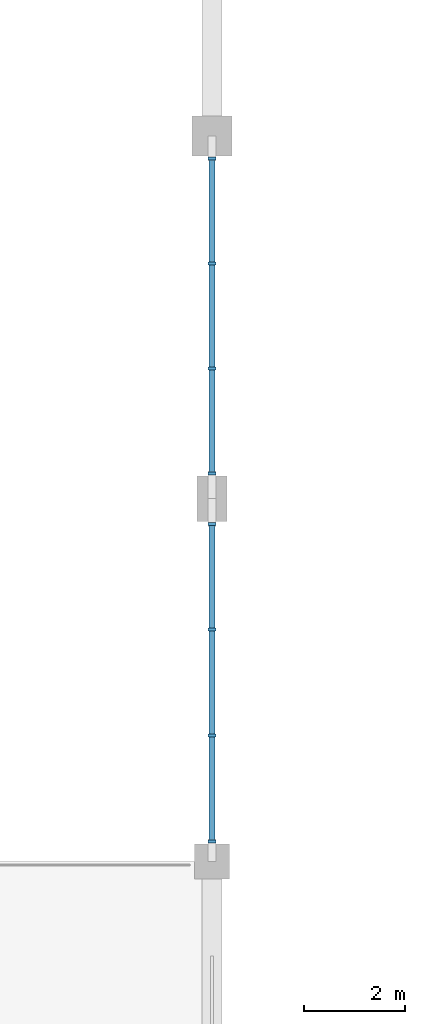
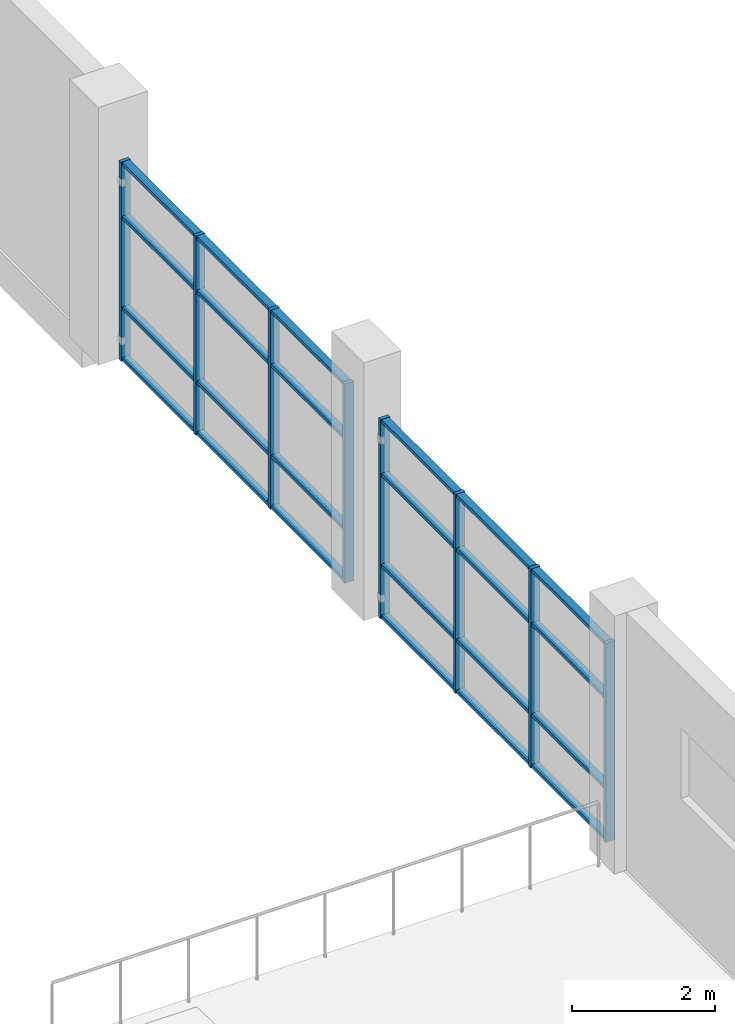
# One storey, part 28 of 71: 32 members, 2 elements without a shape of their own.
"""IFC4 building model written with IfcOpenShell, lengths in metres."""

from ifc_helpers import new_model, si_unit, direction, frame, origin, origin_2d, place, context, subcontext, project, spatial, rectangle, extrude, material, material_profile, profile_set, type_object, element, aggregate, save


model = new_model("IFC4")

# Units and contexts
model_context = context("Model", 3, precision=1e-05, world=origin(), true_north=direction((0.0, 1.0)))
body_context = subcontext(model_context, "Body", "Model", "MODEL_VIEW")
ifc_project = project(units=[si_unit("LENGTHUNIT", "METRE"), si_unit("AREAUNIT", "SQUARE_METRE"), si_unit("VOLUMEUNIT", "CUBIC_METRE"), si_unit("PLANEANGLEUNIT", "RADIAN"), si_unit("MASSUNIT", "GRAM", prefix="KILO")], contexts=[model_context])

# Site, building, storey
site_placement = place(None, origin())
site = spatial("IfcSite", under=ifc_project, at=site_placement, CompositionType="ELEMENT")
building_placement = place(site_placement, origin())
building = spatial("IfcBuilding", under=site, at=building_placement, Name="Sardonyx Promenade Sports Hall", CompositionType="ELEMENT")
storey_placement = place(building_placement, frame((0.0, 0.0, 16.0)))
storey = spatial("IfcBuildingStorey", under=building, at=storey_placement, Name="L03", CompositionType="ELEMENT", Elevation=16.0)

# Curtain wall, members
ifc_material_1 = material(Name="Aluminium 6063-T6", Category="aluminium")
curtain_wall_type = type_object("IfcCurtainWallType", Name="CW_South_L03_640", PredefinedType="USERDEFINED", material=ifc_material_1)
curtain_wall_1_placement = place(storey_placement, origin())
curtain_wall_1 = element("IfcCurtainWall", 1, at=curtain_wall_1_placement, inside=storey, type_object=curtain_wall_type, Name="Curtain wall CW14 cw:L03:150", ObjectType="CURTAIN WALL", PredefinedType="USERDEFINED")
ifc_material_2 = material(Name="Aluminium 6063-T6", Category="aluminium")
ifc_material_profile_1 = material_profile(ifc_material_2, rectangle(XDim=0.06005859375, YDim=0.14990234375, at=origin_2d()))
ifc_profile_set_1 = profile_set([ifc_material_profile_1], Name="Aluminium 6063-T6")
member_type_1 = type_object("IfcMemberType", Name="CW_Mull_150", PredefinedType="MULLION", material=ifc_profile_set_1)
member_1_placement = place(storey_placement, frame((79.199951171875, 93.14990234375, 0.0), z_axis=(0.0, 0.0, 1.0), x_axis=(0.0, -1.0, 0.0)))
member_1 = element("IfcMember", 2, at=member_1_placement, type_object=member_type_1, Name="Mullion CM01 cw:L03:150 #1", PredefinedType="MULLION", context=body_context, shape_type="SweptSolid", body=[
    extrude(rectangle(XDim=0.06005859375, YDim=0.14990234375, at=origin_2d()), origin(), (0.0, 0.0, 1.0), 3.39990234375),
])
member_2_placement = place(storey_placement, frame((79.199951171875, 91.066650390625, 0.0), z_axis=(0.0, 0.0, 1.0), x_axis=(0.0, -1.0, 0.0)))
member_2 = element("IfcMember", 3, at=member_2_placement, type_object=member_type_1, Name="Mullion CM01 cw:L03:150 #2", PredefinedType="MULLION", context=body_context, shape_type="SweptSolid", body=[
    extrude(rectangle(XDim=0.06005859375, YDim=0.14990234375, at=origin_2d()), origin(), (0.0, 0.0, 1.0), 3.39990234375),
])
member_3_placement = place(storey_placement, frame((79.199951171875, 88.9833984375, 0.0), z_axis=(0.0, 0.0, 1.0), x_axis=(0.0, -1.0, 0.0)))
member_3 = element("IfcMember", 4, at=member_3_placement, type_object=member_type_1, Name="Mullion CM01 cw:L03:150 #3", PredefinedType="MULLION", context=body_context, shape_type="SweptSolid", body=[
    extrude(rectangle(XDim=0.06005859375, YDim=0.14990234375, at=origin_2d()), origin(), (0.0, 0.0, 1.0), 3.39990234375),
])
member_4_placement = place(storey_placement, frame((79.199951171875, 86.89990234375, 0.0), z_axis=(0.0, 0.0, 1.0), x_axis=(0.0, -1.0, 0.0)))
member_4 = element("IfcMember", 5, at=member_4_placement, type_object=member_type_1, Name="Mullion CM01 cw:L03:150 #4", PredefinedType="MULLION", context=body_context, shape_type="SweptSolid", body=[
    extrude(rectangle(XDim=0.06005859375, YDim=0.14990234375, at=origin_2d()), origin(), (0.0, 0.0, 1.0), 3.39990234375),
])

curtain_wall_2_placement = place(storey_placement, origin())
curtain_wall_2 = element("IfcCurtainWall", 6, at=curtain_wall_2_placement, inside=storey, type_object=curtain_wall_type, Name="Curtain wall CW14 cw:L03:151", ObjectType="CURTAIN WALL", PredefinedType="USERDEFINED")
member_5_placement = place(storey_placement, frame((79.199951171875, 85.89990234375, 0.0), z_axis=(0.0, 0.0, 1.0), x_axis=(0.0, -1.0, 0.0)))
member_5 = element("IfcMember", 7, at=member_5_placement, type_object=member_type_1, Name="Mullion CM01 cw:L03:151 #1", PredefinedType="MULLION", context=body_context, shape_type="SweptSolid", body=[
    extrude(rectangle(XDim=0.06005859375, YDim=0.14990234375, at=origin_2d()), origin(), (0.0, 0.0, 1.0), 3.39990234375),
])
member_6_placement = place(storey_placement, frame((79.199951171875, 83.800048828125, 0.0), z_axis=(0.0, 0.0, 1.0), x_axis=(0.0, -1.0, 0.0)))
member_6 = element("IfcMember", 8, at=member_6_placement, type_object=member_type_1, Name="Mullion CM01 cw:L03:151 #2", PredefinedType="MULLION", context=body_context, shape_type="SweptSolid", body=[
    extrude(rectangle(XDim=0.06005859375, YDim=0.14990234375, at=origin_2d()), origin(), (0.0, 0.0, 1.0), 3.39990234375),
])
member_7_placement = place(storey_placement, frame((79.199951171875, 81.699951171875, 0.0), z_axis=(0.0, 0.0, 1.0), x_axis=(0.0, -1.0, 0.0)))
member_7 = element("IfcMember", 9, at=member_7_placement, type_object=member_type_1, Name="Mullion CM01 cw:L03:151 #3", PredefinedType="MULLION", context=body_context, shape_type="SweptSolid", body=[
    extrude(rectangle(XDim=0.06005859375, YDim=0.14990234375, at=origin_2d()), origin(), (0.0, 0.0, 1.0), 3.39990234375),
])
member_8_placement = place(storey_placement, frame((79.199951171875, 79.60009765625, 0.0), z_axis=(0.0, 0.0, 1.0), x_axis=(0.0, -1.0, 0.0)))
member_8 = element("IfcMember", 10, at=member_8_placement, type_object=member_type_1, Name="Mullion CM01 cw:L03:151 #4", PredefinedType="MULLION", context=body_context, shape_type="SweptSolid", body=[
    extrude(rectangle(XDim=0.06005859375, YDim=0.14990234375, at=origin_2d()), origin(), (0.0, 0.0, 1.0), 3.39990234375),
])

# Member
ifc_material_3 = material(Name="Aluminium 6063-T6", Category="aluminium")
ifc_material_profile_2 = material_profile(ifc_material_3, rectangle(XDim=0.06005859375, YDim=0.1201171875, at=origin_2d()))
ifc_profile_set_2 = profile_set([ifc_material_profile_2], Name="Aluminium 6063-T6")
member_type_2 = type_object("IfcMemberType", Name="CW_Tran_120", PredefinedType="USERDEFINED", material=ifc_profile_set_2)
member_9_placement = place(storey_placement, frame((79.199951171875, 93.1201171875, 0.030029296875), z_axis=(0.0, -1.0, 0.0), x_axis=(0.0, 0.0, 1.0)))
member_9 = element("IfcMember", 11, at=member_9_placement, type_object=member_type_2, Name="Transom CT01 cw:L03:150 #1", ObjectType="TRANSOM", PredefinedType="USERDEFINED", context=body_context, shape_type="SweptSolid", body=[
    extrude(rectangle(XDim=0.06005859375, YDim=0.1201171875, at=origin_2d()), origin(), (0.0, 0.0, 1.0), 2.0234375),
])

member_10_placement = place(storey_placement, frame((79.199951171875, 93.1201171875, 0.89990234375), z_axis=(0.0, -1.0, 0.0), x_axis=(0.0, 0.0, 1.0)))
member_10 = element("IfcMember", 12, at=member_10_placement, type_object=member_type_2, Name="Transom CT01 cw:L03:150 #2", ObjectType="TRANSOM", PredefinedType="USERDEFINED", context=body_context, shape_type="SweptSolid", body=[
    extrude(rectangle(XDim=0.06005859375, YDim=0.1201171875, at=origin_2d()), origin(), (0.0, 0.0, 1.0), 2.0234375),
])

member_11_placement = place(storey_placement, frame((79.199951171875, 93.1201171875, 2.449951171875), z_axis=(0.0, -1.0, 0.0), x_axis=(0.0, 0.0, 1.0)))
member_11 = element("IfcMember", 13, at=member_11_placement, type_object=member_type_2, Name="Transom CT01 cw:L03:150 #3", ObjectType="TRANSOM", PredefinedType="USERDEFINED", context=body_context, shape_type="SweptSolid", body=[
    extrude(rectangle(XDim=0.06005859375, YDim=0.1201171875, at=origin_2d()), origin(), (0.0, 0.0, 1.0), 2.0234375),
])

member_12_placement = place(storey_placement, frame((79.199951171875, 93.1201171875, 3.3701171875), z_axis=(0.0, -1.0, 0.0), x_axis=(0.0, 0.0, 1.0)))
member_12 = element("IfcMember", 14, at=member_12_placement, type_object=member_type_2, Name="Transom CT01 cw:L03:150 #4", ObjectType="TRANSOM", PredefinedType="USERDEFINED", context=body_context, shape_type="SweptSolid", body=[
    extrude(rectangle(XDim=0.06005859375, YDim=0.1201171875, at=origin_2d()), origin(), (0.0, 0.0, 1.0), 2.0234375),
])

member_13_placement = place(storey_placement, frame((79.199951171875, 91.03662109375, 0.030029296875), z_axis=(0.0, -1.0, 0.0), x_axis=(0.0, 0.0, 1.0)))
member_13 = element("IfcMember", 15, at=member_13_placement, type_object=member_type_2, Name="Transom CT01 cw:L03:150 #5", ObjectType="TRANSOM", PredefinedType="USERDEFINED", context=body_context, shape_type="SweptSolid", body=[
    extrude(rectangle(XDim=0.06005859375, YDim=0.1201171875, at=origin_2d()), origin(), (0.0, 0.0, 1.0), 2.023193359375),
])

member_14_placement = place(storey_placement, frame((79.199951171875, 91.03662109375, 0.89990234375), z_axis=(0.0, -1.0, 0.0), x_axis=(0.0, 0.0, 1.0)))
member_14 = element("IfcMember", 16, at=member_14_placement, type_object=member_type_2, Name="Transom CT01 cw:L03:150 #6", ObjectType="TRANSOM", PredefinedType="USERDEFINED", context=body_context, shape_type="SweptSolid", body=[
    extrude(rectangle(XDim=0.06005859375, YDim=0.1201171875, at=origin_2d()), origin(), (0.0, 0.0, 1.0), 2.023193359375),
])

member_15_placement = place(storey_placement, frame((79.199951171875, 91.03662109375, 2.449951171875), z_axis=(0.0, -1.0, 0.0), x_axis=(0.0, 0.0, 1.0)))
member_15 = element("IfcMember", 17, at=member_15_placement, type_object=member_type_2, Name="Transom CT01 cw:L03:150 #7", ObjectType="TRANSOM", PredefinedType="USERDEFINED", context=body_context, shape_type="SweptSolid", body=[
    extrude(rectangle(XDim=0.06005859375, YDim=0.1201171875, at=origin_2d()), origin(), (0.0, 0.0, 1.0), 2.023193359375),
])

member_16_placement = place(storey_placement, frame((79.199951171875, 91.03662109375, 3.3701171875), z_axis=(0.0, -1.0, 0.0), x_axis=(0.0, 0.0, 1.0)))
member_16 = element("IfcMember", 18, at=member_16_placement, type_object=member_type_2, Name="Transom CT01 cw:L03:150 #8", ObjectType="TRANSOM", PredefinedType="USERDEFINED", context=body_context, shape_type="SweptSolid", body=[
    extrude(rectangle(XDim=0.06005859375, YDim=0.1201171875, at=origin_2d()), origin(), (0.0, 0.0, 1.0), 2.023193359375),
])

member_17_placement = place(storey_placement, frame((79.199951171875, 88.953369140625, 0.030029296875), z_axis=(0.0, -1.0, 0.0), x_axis=(0.0, 0.0, 1.0)))
member_17 = element("IfcMember", 19, at=member_17_placement, type_object=member_type_2, Name="Transom CT01 cw:L03:150 #9", ObjectType="TRANSOM", PredefinedType="USERDEFINED", context=body_context, shape_type="SweptSolid", body=[
    extrude(rectangle(XDim=0.06005859375, YDim=0.1201171875, at=origin_2d()), origin(), (0.0, 0.0, 1.0), 2.0234375),
])

member_18_placement = place(storey_placement, frame((79.199951171875, 88.953369140625, 0.89990234375), z_axis=(0.0, -1.0, 0.0), x_axis=(0.0, 0.0, 1.0)))
member_18 = element("IfcMember", 20, at=member_18_placement, type_object=member_type_2, Name="Transom CT01 cw:L03:150 #10", ObjectType="TRANSOM", PredefinedType="USERDEFINED", context=body_context, shape_type="SweptSolid", body=[
    extrude(rectangle(XDim=0.06005859375, YDim=0.1201171875, at=origin_2d()), origin(), (0.0, 0.0, 1.0), 2.0234375),
])

member_19_placement = place(storey_placement, frame((79.199951171875, 88.953369140625, 2.449951171875), z_axis=(0.0, -1.0, 0.0), x_axis=(0.0, 0.0, 1.0)))
member_19 = element("IfcMember", 21, at=member_19_placement, type_object=member_type_2, Name="Transom CT01 cw:L03:150 #11", ObjectType="TRANSOM", PredefinedType="USERDEFINED", context=body_context, shape_type="SweptSolid", body=[
    extrude(rectangle(XDim=0.06005859375, YDim=0.1201171875, at=origin_2d()), origin(), (0.0, 0.0, 1.0), 2.0234375),
])

member_20_placement = place(storey_placement, frame((79.199951171875, 88.953369140625, 3.3701171875), z_axis=(0.0, -1.0, 0.0), x_axis=(0.0, 0.0, 1.0)))
member_20 = element("IfcMember", 22, at=member_20_placement, type_object=member_type_2, Name="Transom CT01 cw:L03:150 #12", ObjectType="TRANSOM", PredefinedType="USERDEFINED", context=body_context, shape_type="SweptSolid", body=[
    extrude(rectangle(XDim=0.06005859375, YDim=0.1201171875, at=origin_2d()), origin(), (0.0, 0.0, 1.0), 2.0234375),
])

aggregate(curtain_wall_1, [member_1, member_2, member_3, member_4, member_9, member_10, member_11, member_12, member_13, member_14, member_15, member_16, member_17, member_18, member_19, member_20])

member_21_placement = place(storey_placement, frame((79.199951171875, 85.8701171875, 0.030029296875), z_axis=(0.0, -1.0, 0.0), x_axis=(0.0, 0.0, 1.0)))
member_21 = element("IfcMember", 23, at=member_21_placement, type_object=member_type_2, Name="Transom CT01 cw:L03:151 #1", ObjectType="TRANSOM", PredefinedType="USERDEFINED", context=body_context, shape_type="SweptSolid", body=[
    extrude(rectangle(XDim=0.06005859375, YDim=0.1201171875, at=origin_2d()), origin(), (0.0, 0.0, 1.0), 2.0400390625),
])

member_22_placement = place(storey_placement, frame((79.199951171875, 85.8701171875, 0.89990234375), z_axis=(0.0, -1.0, 0.0), x_axis=(0.0, 0.0, 1.0)))
member_22 = element("IfcMember", 24, at=member_22_placement, type_object=member_type_2, Name="Transom CT01 cw:L03:151 #2", ObjectType="TRANSOM", PredefinedType="USERDEFINED", context=body_context, shape_type="SweptSolid", body=[
    extrude(rectangle(XDim=0.06005859375, YDim=0.1201171875, at=origin_2d()), origin(), (0.0, 0.0, 1.0), 2.0400390625),
])

member_23_placement = place(storey_placement, frame((79.199951171875, 85.8701171875, 2.449951171875), z_axis=(0.0, -1.0, 0.0), x_axis=(0.0, 0.0, 1.0)))
member_23 = element("IfcMember", 25, at=member_23_placement, type_object=member_type_2, Name="Transom CT01 cw:L03:151 #3", ObjectType="TRANSOM", PredefinedType="USERDEFINED", context=body_context, shape_type="SweptSolid", body=[
    extrude(rectangle(XDim=0.06005859375, YDim=0.1201171875, at=origin_2d()), origin(), (0.0, 0.0, 1.0), 2.0400390625),
])

member_24_placement = place(storey_placement, frame((79.199951171875, 85.8701171875, 3.3701171875), z_axis=(0.0, -1.0, 0.0), x_axis=(0.0, 0.0, 1.0)))
member_24 = element("IfcMember", 26, at=member_24_placement, type_object=member_type_2, Name="Transom CT01 cw:L03:151 #4", ObjectType="TRANSOM", PredefinedType="USERDEFINED", context=body_context, shape_type="SweptSolid", body=[
    extrude(rectangle(XDim=0.06005859375, YDim=0.1201171875, at=origin_2d()), origin(), (0.0, 0.0, 1.0), 2.0400390625),
])

member_25_placement = place(storey_placement, frame((79.199951171875, 83.77001953125, 0.030029296875), z_axis=(0.0, -1.0, 0.0), x_axis=(0.0, 0.0, 1.0)))
member_25 = element("IfcMember", 27, at=member_25_placement, type_object=member_type_2, Name="Transom CT01 cw:L03:151 #5", ObjectType="TRANSOM", PredefinedType="USERDEFINED", context=body_context, shape_type="SweptSolid", body=[
    extrude(rectangle(XDim=0.06005859375, YDim=0.1201171875, at=origin_2d()), origin(), (0.0, 0.0, 1.0), 2.0400390625),
])

member_26_placement = place(storey_placement, frame((79.199951171875, 83.77001953125, 0.89990234375), z_axis=(0.0, -1.0, 0.0), x_axis=(0.0, 0.0, 1.0)))
member_26 = element("IfcMember", 28, at=member_26_placement, type_object=member_type_2, Name="Transom CT01 cw:L03:151 #6", ObjectType="TRANSOM", PredefinedType="USERDEFINED", context=body_context, shape_type="SweptSolid", body=[
    extrude(rectangle(XDim=0.06005859375, YDim=0.1201171875, at=origin_2d()), origin(), (0.0, 0.0, 1.0), 2.0400390625),
])

member_27_placement = place(storey_placement, frame((79.199951171875, 83.77001953125, 2.449951171875), z_axis=(0.0, -1.0, 0.0), x_axis=(0.0, 0.0, 1.0)))
member_27 = element("IfcMember", 29, at=member_27_placement, type_object=member_type_2, Name="Transom CT01 cw:L03:151 #7", ObjectType="TRANSOM", PredefinedType="USERDEFINED", context=body_context, shape_type="SweptSolid", body=[
    extrude(rectangle(XDim=0.06005859375, YDim=0.1201171875, at=origin_2d()), origin(), (0.0, 0.0, 1.0), 2.0400390625),
])

member_28_placement = place(storey_placement, frame((79.199951171875, 83.77001953125, 3.3701171875), z_axis=(0.0, -1.0, 0.0), x_axis=(0.0, 0.0, 1.0)))
member_28 = element("IfcMember", 30, at=member_28_placement, type_object=member_type_2, Name="Transom CT01 cw:L03:151 #8", ObjectType="TRANSOM", PredefinedType="USERDEFINED", context=body_context, shape_type="SweptSolid", body=[
    extrude(rectangle(XDim=0.06005859375, YDim=0.1201171875, at=origin_2d()), origin(), (0.0, 0.0, 1.0), 2.0400390625),
])

member_29_placement = place(storey_placement, frame((79.199951171875, 81.669921875, 0.030029296875), z_axis=(0.0, -1.0, 0.0), x_axis=(0.0, 0.0, 1.0)))
member_29 = element("IfcMember", 31, at=member_29_placement, type_object=member_type_2, Name="Transom CT01 cw:L03:151 #9", ObjectType="TRANSOM", PredefinedType="USERDEFINED", context=body_context, shape_type="SweptSolid", body=[
    extrude(rectangle(XDim=0.06005859375, YDim=0.1201171875, at=origin_2d()), origin(), (0.0, 0.0, 1.0), 2.0400390625),
])

member_30_placement = place(storey_placement, frame((79.199951171875, 81.669921875, 0.89990234375), z_axis=(0.0, -1.0, 0.0), x_axis=(0.0, 0.0, 1.0)))
member_30 = element("IfcMember", 32, at=member_30_placement, type_object=member_type_2, Name="Transom CT01 cw:L03:151 #10", ObjectType="TRANSOM", PredefinedType="USERDEFINED", context=body_context, shape_type="SweptSolid", body=[
    extrude(rectangle(XDim=0.06005859375, YDim=0.1201171875, at=origin_2d()), origin(), (0.0, 0.0, 1.0), 2.0400390625),
])

member_31_placement = place(storey_placement, frame((79.199951171875, 81.669921875, 2.449951171875), z_axis=(0.0, -1.0, 0.0), x_axis=(0.0, 0.0, 1.0)))
member_31 = element("IfcMember", 33, at=member_31_placement, type_object=member_type_2, Name="Transom CT01 cw:L03:151 #11", ObjectType="TRANSOM", PredefinedType="USERDEFINED", context=body_context, shape_type="SweptSolid", body=[
    extrude(rectangle(XDim=0.06005859375, YDim=0.1201171875, at=origin_2d()), origin(), (0.0, 0.0, 1.0), 2.0400390625),
])

member_32_placement = place(storey_placement, frame((79.199951171875, 81.669921875, 3.3701171875), z_axis=(0.0, -1.0, 0.0), x_axis=(0.0, 0.0, 1.0)))
member_32 = element("IfcMember", 34, at=member_32_placement, type_object=member_type_2, Name="Transom CT01 cw:L03:151 #12", ObjectType="TRANSOM", PredefinedType="USERDEFINED", context=body_context, shape_type="SweptSolid", body=[
    extrude(rectangle(XDim=0.06005859375, YDim=0.1201171875, at=origin_2d()), origin(), (0.0, 0.0, 1.0), 2.0400390625),
])

aggregate(curtain_wall_2, [member_5, member_6, member_7, member_8, member_21, member_22, member_23, member_24, member_25, member_26, member_27, member_28, member_29, member_30, member_31, member_32])

save(model, "model.ifc")
